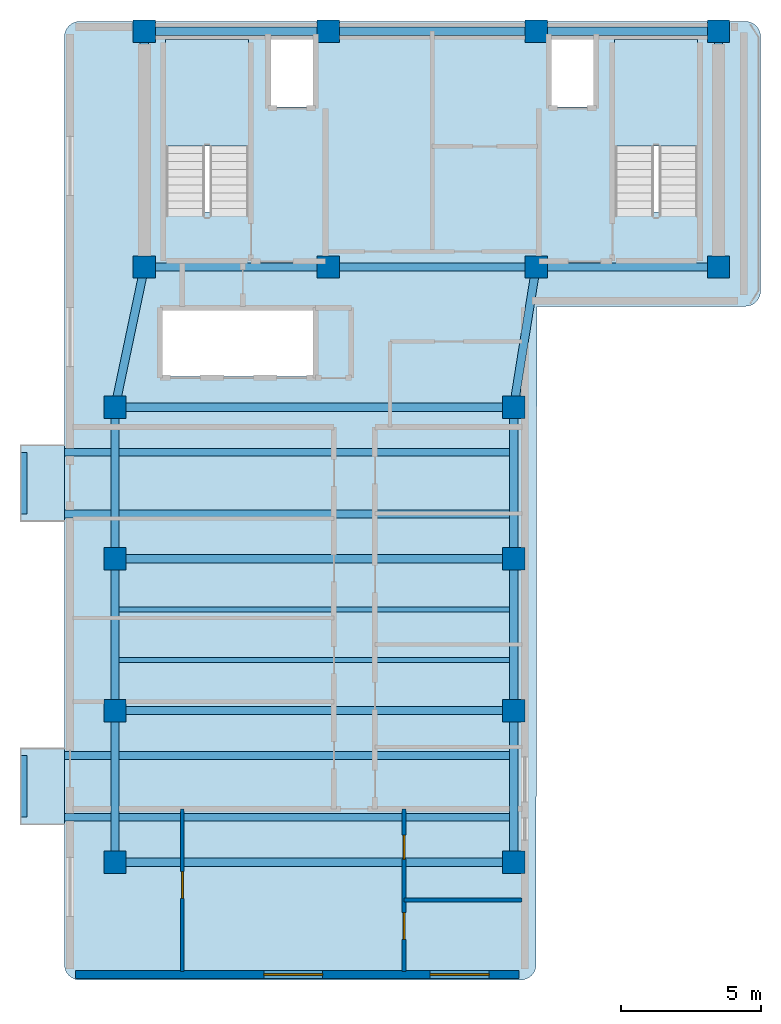
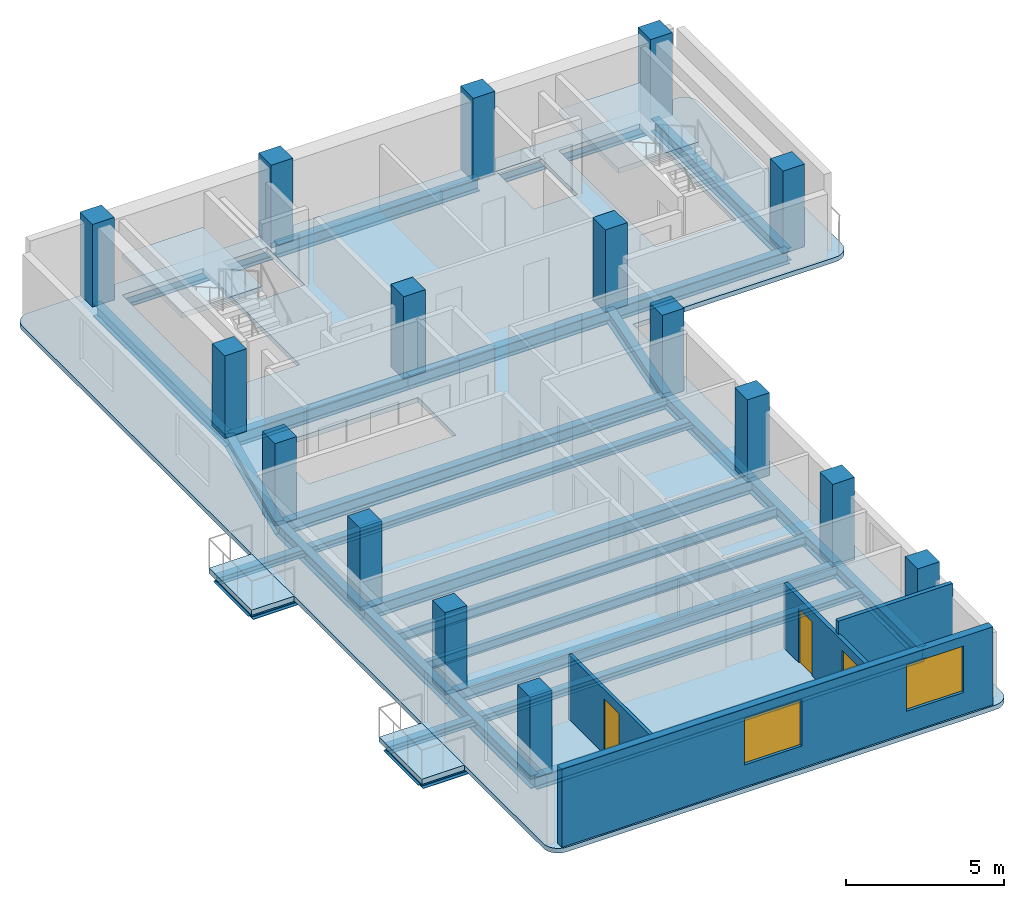
# One storey, part 1 of 5: 28 beams, 16 columns, 5 slabs, 4 walls, 3 doors, 2 windows, 5 openings, 2 elements without a shape of their own.
"""IFC4 building model written with IfcOpenShell, lengths in metres."""

from ifc_helpers import new_model, si_unit, direction, frame, frame_2d, origin, origin_2d, place, context, subcontext, project, spatial, polyline, rectangle, i_section, outline, extrude, material, layer, layer_set, material_profile, profile_set, type_object, element, fill, aggregate, save


model = new_model("IFC4")

# Units and contexts
model_context = context("Model", 3, precision=1e-05, world=origin(), true_north=direction((0.0, 1.0)))
body_context = subcontext(model_context, "Body", "Model", "MODEL_VIEW")
ifc_project = project(units=[si_unit("LENGTHUNIT", "METRE"), si_unit("AREAUNIT", "SQUARE_METRE"), si_unit("VOLUMEUNIT", "CUBIC_METRE"), si_unit("PLANEANGLEUNIT", "RADIAN"), si_unit("MASSUNIT", "GRAM", prefix="KILO")], contexts=[model_context])

# Site, building, storey
site_placement = place(None, origin())
site = spatial("IfcSite", under=ifc_project, at=site_placement, CompositionType="ELEMENT")
building_placement = place(site_placement, origin())
building = spatial("IfcBuilding", under=site, at=building_placement, Name="Kuzgunbayir Cultural Tower", CompositionType="ELEMENT")
storey_placement = place(building_placement, frame((0.0, 0.0, 228.0)))
storey = spatial("IfcBuildingStorey", under=building, at=storey_placement, Name="L67", CompositionType="ELEMENT", Elevation=228.0)

# Columns
ifc_material_1 = material(Name="Concrete C50/60", Category="concrete")
ifc_material_profile_1 = material_profile(ifc_material_1, rectangle(XDim=0.800048828125, YDim=0.800048828125, at=origin_2d()), Name="RC 800x800")
ifc_profile_set_1 = profile_set([ifc_material_profile_1], Name="Concrete C50/60")
column_type_1 = type_object("IfcColumnType", Name="COL-CORE-800", PredefinedType="COLUMN", material=ifc_profile_set_1)
for number, where, z_axis, x_axis, name in (
    (1, (6.449951171875, 33.800048828125, 0.0), (0.0, 0.0, 1.0), (1.0, 0.0, 0.0), "L67 T1 Core Boundary Column CC1-1"),
    (2, (13.0, 33.800048828125, 0.0), (0.0, 0.0, 1.0), (1.0, 0.0, 0.0), "L67 T1 Core Boundary Column CC1-2"),
    (3, (20.39990234375, 33.800048828125, 0.0), (0.0, 0.0, 1.0), (1.0, 0.0, 0.0), "L67 T1 Core Boundary Column CC1-3"),
    (4, (26.89990234375, 33.800048828125, 0.0), (0.0, 0.0, 1.0), (1.0, 0.0, 0.0), "L67 T1 Core Boundary Column CC1-4"),
    (5, (6.449951171875, 42.199951171875, 0.0), (0.0, 0.0, 1.0), (1.0, 0.0, 0.0), "L67 T1 Core Boundary Column CC1-5"),
    (6, (13.0, 42.199951171875, 0.0), (0.0, 0.0, 1.0), (1.0, 0.0, 0.0), "L67 T1 Core Boundary Column CC1-6"),
    (7, (20.39990234375, 42.199951171875, 0.0), (0.0, 0.0, 1.0), (1.0, 0.0, 0.0), "L67 T1 Core Boundary Column CC1-7"),
    (8, (26.89990234375, 42.199951171875, 0.0), (0.0, 0.0, 1.0), (1.0, 0.0, 0.0), "L67 T1 Core Boundary Column CC1-8"),
):
    element("IfcColumn", number, at=place(storey_placement, frame(where, z_axis=z_axis, x_axis=x_axis)), inside=storey, type_object=column_type_1, Name=name, PredefinedType="COLUMN", context=body_context, shape_type="SweptSolid", body=[
        extrude(rectangle(XDim=0.800048828125, YDim=0.800048828125, at=origin_2d()), origin(), (0.0, 0.0, 1.0), 3.199951171875),
    ])
ifc_material_profile_2 = material_profile(ifc_material_1, rectangle(XDim=0.800048828125, YDim=0.800048828125, at=origin_2d()), Name="RC 800x800")
ifc_profile_set_2 = profile_set([ifc_material_profile_2], Name="Concrete C50/60")
column_type_2 = type_object("IfcColumnType", Name="COL-T1-800", PredefinedType="COLUMN", material=ifc_profile_set_2)
for number, where, z_axis, x_axis, name in (
    (9, (5.39990234375, 12.60009765625, 0.0), (0.0, 0.0, 1.0), (1.0, 0.0, 0.0), "L67 Tower 1 Wing A Column T1A-W-1"),
    (10, (19.60009765625, 12.60009765625, 0.0), (0.0, 0.0, 1.0), (1.0, 0.0, 0.0), "L67 Tower 1 Wing A Column T1A-E-1"),
    (11, (5.39990234375, 18.0, 0.0), (0.0, 0.0, 1.0), (1.0, 0.0, 0.0), "L67 Tower 1 Wing A Column T1A-W-2"),
    (12, (19.60009765625, 18.0, 0.0), (0.0, 0.0, 1.0), (1.0, 0.0, 0.0), "L67 Tower 1 Wing A Column T1A-E-2"),
    (13, (5.39990234375, 23.39990234375, 0.0), (0.0, 0.0, 1.0), (1.0, 0.0, 0.0), "L67 Tower 1 Wing A Column T1A-W-3"),
    (14, (19.60009765625, 23.39990234375, 0.0), (0.0, 0.0, 1.0), (1.0, 0.0, 0.0), "L67 Tower 1 Wing A Column T1A-E-3"),
    (15, (5.39990234375, 28.800048828125, 0.0), (0.0, 0.0, 1.0), (1.0, 0.0, 0.0), "L67 Tower 1 Wing A Column T1A-W-4"),
    (16, (19.60009765625, 28.800048828125, 0.0), (0.0, 0.0, 1.0), (1.0, 0.0, 0.0), "L67 Tower 1 Wing A Column T1A-E-4"),
):
    element("IfcColumn", number, at=place(storey_placement, frame(where, z_axis=z_axis, x_axis=x_axis)), inside=storey, type_object=column_type_2, Name=name, PredefinedType="COLUMN", context=body_context, shape_type="SweptSolid", body=[
        extrude(rectangle(XDim=0.800048828125, YDim=0.800048828125, at=origin_2d()), origin(), (0.0, 0.0, 1.0), 3.199951171875),
    ])

# Beams
ifc_material_2 = material(Name="Steel S355J2", Category="steel")
ifc_material_profile_3 = material_profile(ifc_material_2, i_section(OverallWidth=0.280029296875, OverallDepth=0.280029296875, WebThickness=0.010498046875, FlangeThickness=0.01806640625, FilletRadius=0.02392578125, at=origin_2d()), Name="HEB 280")
ifc_profile_set_3 = profile_set([ifc_material_profile_3], Name="Steel S355J2")
beam_type_1 = type_object("IfcBeamType", Name="BM-BAL-HEB280", PredefinedType="BEAM", material=ifc_profile_set_3)
for number, where, z_axis, x_axis, name in (
    (17, (2.159912109375, 14.199951171875, -0.340087890625), (1.0, 0.0, 0.0), (0.0, 1.0, 0.0), "L67 Balcony Outrigger Beam BAL-L67-WA1.1"),
    (18, (2.159912109375, 16.39990234375, -0.340087890625), (1.0, 0.0, 0.0), (0.0, 1.0, 0.0), "L67 Balcony Outrigger Beam BAL-L67-WA1.2"),
    (19, (2.159912109375, 25.0, -0.340087890625), (1.0, 0.0, 0.0), (0.0, 1.0, 0.0), "L67 Balcony Outrigger Beam BAL-L67-WA3.1"),
    (20, (2.159912109375, 27.199951171875, -0.340087890625), (1.0, 0.0, 0.0), (0.0, 1.0, 0.0), "L67 Balcony Outrigger Beam BAL-L67-WA3.2"),
):
    element("IfcBeam", number, at=place(storey_placement, frame(where, z_axis=z_axis, x_axis=x_axis)), inside=storey, type_object=beam_type_1, Name=name, PredefinedType="BEAM", context=body_context, shape_type="SweptSolid", body=[
        extrude(i_section(OverallWidth=0.280029296875, OverallDepth=0.280029296875, WebThickness=0.010498046875, FlangeThickness=0.01806640625, FilletRadius=0.02392578125, at=origin_2d()), origin(), (0.0, 0.0, 1.0), 17.440185546875),
    ])
ifc_material_profile_4 = material_profile(ifc_material_2, i_section(OverallWidth=0.199951171875, OverallDepth=0.199951171875, WebThickness=0.009033203125, FlangeThickness=0.014892578125, FilletRadius=0.01806640625, at=origin_2d()), Name="HEB 200")
ifc_profile_set_4 = profile_set([ifc_material_profile_4], Name="Steel S355J2")
beam_type_2 = type_object("IfcBeamType", Name="BM-CAN-HEB200", PredefinedType="BEAM", material=ifc_profile_set_4)
for number, where, z_axis, x_axis, name in (
    (21, (2.159912109375, 14.199951171875, -0.300048828125), (0.0, 1.0, 0.0), (-1.0, 0.0, 0.0), "L67 Balcony Edge Header BAL-L67-WA1"),
    (22, (2.159912109375, 25.0, -0.300048828125), (0.0, 1.0, 0.0), (-1.0, 0.0, 0.0), "L67 Balcony Edge Header BAL-L67-WA3"),
):
    element("IfcBeam", number, at=place(storey_placement, frame(where, z_axis=z_axis, x_axis=x_axis)), inside=storey, type_object=beam_type_2, Name=name, PredefinedType="BEAM", context=body_context, shape_type="SweptSolid", body=[
        extrude(i_section(OverallWidth=0.199951171875, OverallDepth=0.199951171875, WebThickness=0.009033203125, FlangeThickness=0.014892578125, FilletRadius=0.01806640625, at=origin_2d()), origin(), (0.0, 0.0, 1.0), 2.199951171875),
    ])
ifc_material_profile_5 = material_profile(ifc_material_2, i_section(OverallWidth=0.300048828125, OverallDepth=0.5, WebThickness=0.014404296875, FlangeThickness=0.028076171875, FilletRadius=0.027099609375, at=origin_2d()), Name="HEB 500")
ifc_profile_set_5 = profile_set([ifc_material_profile_5], Name="Steel S355J2")
beam_type_3 = type_object("IfcBeamType", Name="BM-EXT-HEB500", PredefinedType="BEAM", material=ifc_profile_set_5)
for number, where, z_axis, x_axis, name in (
    (23, (5.39990234375, 12.60009765625, -0.429931640625), (0.0, 1.0, 0.0), (-1.0, 0.0, 0.0), "L67 Wing A West Girder 1"),
    (24, (19.60009765625, 12.60009765625, -0.429931640625), (0.0, 1.0, 0.0), (-1.0, 0.0, 0.0), "L67 Wing A East Girder 1"),
    (25, (5.39990234375, 18.0, -0.429931640625), (0.0, 1.0, 0.0), (-1.0, 0.0, 0.0), "L67 Wing A West Girder 2"),
    (26, (19.60009765625, 18.0, -0.429931640625), (0.0, 1.0, 0.0), (-1.0, 0.0, 0.0), "L67 Wing A East Girder 2"),
):
    element("IfcBeam", number, at=place(storey_placement, frame(where, z_axis=z_axis, x_axis=x_axis)), inside=storey, type_object=beam_type_3, Name=name, PredefinedType="BEAM", context=body_context, shape_type="SweptSolid", body=[
        extrude(i_section(OverallWidth=0.300048828125, OverallDepth=0.5, WebThickness=0.014404296875, FlangeThickness=0.028076171875, FilletRadius=0.027099609375, at=origin_2d()), origin(), (0.0, 0.0, 1.0), 5.39990234375),
    ])
for number, where, z_axis, x_axis, name in (
    (27, (5.39990234375, 23.39990234375, -0.429931640625), (0.0, 1.0, 0.0), (-1.0, 0.0, 0.0), "L67 Wing A West Girder 3"),
    (28, (19.60009765625, 23.39990234375, -0.429931640625), (0.0, 1.0, 0.0), (-1.0, 0.0, 0.0), "L67 Wing A East Girder 3"),
):
    element("IfcBeam", number, at=place(storey_placement, frame(where, z_axis=z_axis, x_axis=x_axis)), inside=storey, type_object=beam_type_3, Name=name, PredefinedType="BEAM", context=body_context, shape_type="SweptSolid", body=[
        extrude(i_section(OverallWidth=0.300048828125, OverallDepth=0.5, WebThickness=0.014404296875, FlangeThickness=0.028076171875, FilletRadius=0.027099609375, at=origin_2d()), origin(), (0.0, 0.0, 1.0), 5.400146484375),
    ])
ifc_material_profile_6 = material_profile(ifc_material_2, i_section(OverallWidth=0.300048828125, OverallDepth=0.5, WebThickness=0.014404296875, FlangeThickness=0.028076171875, FilletRadius=0.027099609375, at=origin_2d()), Name="HEB 500")
ifc_profile_set_6 = profile_set([ifc_material_profile_6], Name="Steel S355J2")
beam_type_4 = type_object("IfcBeamType", Name="BM-GIR-HEB500", PredefinedType="BEAM", material=ifc_profile_set_6)
beam_1_placement = place(storey_placement, frame((6.449951171875, 33.800048828125, -0.429931640625), z_axis=(1.0, 0.0, 0.0), x_axis=(0.0, 1.0, 0.0)))
element("IfcBeam", 29, at=beam_1_placement, inside=storey, type_object=beam_type_4, Name="L67 Core South Girder 1", PredefinedType="BEAM", context=body_context, shape_type="SweptSolid", body=[
    extrude(i_section(OverallWidth=0.300048828125, OverallDepth=0.5, WebThickness=0.014404296875, FlangeThickness=0.028076171875, FilletRadius=0.027099609375, at=origin_2d()), origin(), (0.0, 0.0, 1.0), 6.550048828125),
])
beam_2_placement = place(storey_placement, frame((13.0, 33.800048828125, -0.429931640625), z_axis=(1.0, 0.0, 0.0), x_axis=(0.0, 1.0, 0.0)))
element("IfcBeam", 30, at=beam_2_placement, inside=storey, type_object=beam_type_4, Name="L67 Core South Girder 2", PredefinedType="BEAM", context=body_context, shape_type="SweptSolid", body=[
    extrude(i_section(OverallWidth=0.300048828125, OverallDepth=0.5, WebThickness=0.014404296875, FlangeThickness=0.028076171875, FilletRadius=0.027099609375, at=origin_2d()), origin(), (0.0, 0.0, 1.0), 7.39990234375),
])
beam_3_placement = place(storey_placement, frame((20.39990234375, 33.800048828125, -0.429931640625), z_axis=(1.0, 0.0, 0.0), x_axis=(0.0, 1.0, 0.0)))
element("IfcBeam", 31, at=beam_3_placement, inside=storey, type_object=beam_type_4, Name="L67 Core South Girder 3", PredefinedType="BEAM", context=body_context, shape_type="SweptSolid", body=[
    extrude(i_section(OverallWidth=0.300048828125, OverallDepth=0.5, WebThickness=0.014404296875, FlangeThickness=0.028076171875, FilletRadius=0.027099609375, at=origin_2d()), origin(), (0.0, 0.0, 1.0), 6.5),
])
beam_4_placement = place(storey_placement, frame((6.449951171875, 42.199951171875, -0.429931640625), z_axis=(1.0, 0.0, 0.0), x_axis=(0.0, 1.0, 0.0)))
element("IfcBeam", 32, at=beam_4_placement, inside=storey, type_object=beam_type_4, Name="L67 Core North Girder 1", PredefinedType="BEAM", context=body_context, shape_type="SweptSolid", body=[
    extrude(i_section(OverallWidth=0.300048828125, OverallDepth=0.5, WebThickness=0.014404296875, FlangeThickness=0.028076171875, FilletRadius=0.027099609375, at=origin_2d()), origin(), (0.0, 0.0, 1.0), 6.550048828125),
])
beam_5_placement = place(storey_placement, frame((13.0, 42.199951171875, -0.429931640625), z_axis=(1.0, 0.0, 0.0), x_axis=(0.0, 1.0, 0.0)))
element("IfcBeam", 33, at=beam_5_placement, inside=storey, type_object=beam_type_4, Name="L67 Core North Girder 2", PredefinedType="BEAM", context=body_context, shape_type="SweptSolid", body=[
    extrude(i_section(OverallWidth=0.300048828125, OverallDepth=0.5, WebThickness=0.014404296875, FlangeThickness=0.028076171875, FilletRadius=0.027099609375, at=origin_2d()), origin(), (0.0, 0.0, 1.0), 7.39990234375),
])
beam_6_placement = place(storey_placement, frame((20.39990234375, 42.199951171875, -0.429931640625), z_axis=(1.0, 0.0, 0.0), x_axis=(0.0, 1.0, 0.0)))
element("IfcBeam", 34, at=beam_6_placement, inside=storey, type_object=beam_type_4, Name="L67 Core North Girder 3", PredefinedType="BEAM", context=body_context, shape_type="SweptSolid", body=[
    extrude(i_section(OverallWidth=0.300048828125, OverallDepth=0.5, WebThickness=0.014404296875, FlangeThickness=0.028076171875, FilletRadius=0.027099609375, at=origin_2d()), origin(), (0.0, 0.0, 1.0), 6.5),
])
for number, where, z_axis, x_axis, name in (
    (35, (6.449951171875, 33.800048828125, -0.429931640625), (0.0, 1.0, 0.0), (-1.0, 0.0, 0.0), "L67 Core West Edge Girder"),
    (36, (26.89990234375, 33.800048828125, -0.429931640625), (0.0, 1.0, 0.0), (-1.0, 0.0, 0.0), "L67 Core East Edge Girder"),
):
    element("IfcBeam", number, at=place(storey_placement, frame(where, z_axis=z_axis, x_axis=x_axis)), inside=storey, type_object=beam_type_4, Name=name, PredefinedType="BEAM", context=body_context, shape_type="SweptSolid", body=[
        extrude(i_section(OverallWidth=0.300048828125, OverallDepth=0.5, WebThickness=0.014404296875, FlangeThickness=0.028076171875, FilletRadius=0.027099609375, at=origin_2d()), origin(), (0.0, 0.0, 1.0), 8.39990234375),
    ])
for number, where, z_axis, x_axis, name in (
    (37, (5.39990234375, 12.60009765625, -0.429931640625), (1.0, 0.0, 0.0), (0.0, 1.0, 0.0), "L67 Wing A Transverse Girder 1"),
    (38, (5.39990234375, 18.0, -0.429931640625), (1.0, 0.0, 0.0), (0.0, 1.0, 0.0), "L67 Wing A Transverse Girder 2"),
    (39, (5.39990234375, 23.39990234375, -0.429931640625), (1.0, 0.0, 0.0), (0.0, 1.0, 0.0), "L67 Wing A Transverse Girder 3"),
    (40, (5.39990234375, 28.800048828125, -0.429931640625), (1.0, 0.0, 0.0), (0.0, 1.0, 0.0), "L67 Wing A Transverse Girder 4"),
):
    element("IfcBeam", number, at=place(storey_placement, frame(where, z_axis=z_axis, x_axis=x_axis)), inside=storey, type_object=beam_type_4, Name=name, PredefinedType="BEAM", context=body_context, shape_type="SweptSolid", body=[
        extrude(i_section(OverallWidth=0.300048828125, OverallDepth=0.5, WebThickness=0.014404296875, FlangeThickness=0.028076171875, FilletRadius=0.027099609375, at=origin_2d()), origin(), (0.0, 0.0, 1.0), 14.2001953125),
    ])
beam_7_placement = place(storey_placement, frame((5.39990234375, 28.800048828125, -0.429931640625), z_axis=(0.205526387753, 0.978651574329, 0.0), x_axis=(-0.978651574329, 0.205526387753, 0.0)))
element("IfcBeam", 41, at=beam_7_placement, inside=storey, type_object=beam_type_4, Name="L67 Wing A West Core Floor Girder", PredefinedType="BEAM", context=body_context, shape_type="SweptSolid", body=[
    extrude(i_section(OverallWidth=0.300048828125, OverallDepth=0.5, WebThickness=0.014404296875, FlangeThickness=0.028076171875, FilletRadius=0.027099609375, at=origin_2d()), origin(), (0.0, 0.0, 1.0), 5.109130859375),
])
beam_8_placement = place(storey_placement, frame((19.60009765625, 28.800048828125, -0.429931640625), z_axis=(0.157952891656, 0.987446648694, 0.0), x_axis=(-0.987446648694, 0.157952891656, 0.0)))
element("IfcBeam", 42, at=beam_8_placement, inside=storey, type_object=beam_type_4, Name="L67 Wing A East Core Floor Girder", PredefinedType="BEAM", context=body_context, shape_type="SweptSolid", body=[
    extrude(i_section(OverallWidth=0.300048828125, OverallDepth=0.5, WebThickness=0.014404296875, FlangeThickness=0.028076171875, FilletRadius=0.027099609375, at=origin_2d()), origin(), (0.0, 0.0, 1.0), 5.0634765625),
])
ifc_material_profile_7 = material_profile(ifc_material_2, i_section(OverallWidth=0.169921875, OverallDepth=0.360107421875, WebThickness=0.008056640625, FlangeThickness=0.0126953125, FilletRadius=0.01806640625, at=origin_2d()), Name="IPE 360")
ifc_profile_set_7 = profile_set([ifc_material_profile_7], Name="Steel S355J2")
beam_type_5 = type_object("IfcBeamType", Name="BM-JST-IPE360", PredefinedType="JOIST", material=ifc_profile_set_7)
for number, where, z_axis, x_axis, name in (
    (43, (5.550048828125, 19.800048828125, -0.360107421875), (1.0, 0.0, 0.0), (0.0, 1.0, 0.0), "L67 Wing A Secondary Joist 3"),
    (44, (5.550048828125, 21.60009765625, -0.360107421875), (1.0, 0.0, 0.0), (0.0, 1.0, 0.0), "L67 Wing A Secondary Joist 4"),
):
    element("IfcBeam", number, at=place(storey_placement, frame(where, z_axis=z_axis, x_axis=x_axis)), inside=storey, type_object=beam_type_5, Name=name, PredefinedType="JOIST", context=body_context, shape_type="SweptSolid", body=[
        extrude(i_section(OverallWidth=0.169921875, OverallDepth=0.360107421875, WebThickness=0.008056640625, FlangeThickness=0.0126953125, FilletRadius=0.01806640625, at=origin_2d()), origin(), (0.0, 0.0, 1.0), 13.89990234375),
    ])

# Slabs
ifc_material_3 = material(Name="Concrete C40/50", Category="concrete")
ifc_layer_1 = layer(ifc_material_3, 0.199951171875)
ifc_layer_set_1 = layer_set([ifc_layer_1], Name="Concrete C40/50")
slab_type_1 = type_object("IfcSlabType", Name="SLB-BAL-STONE", PredefinedType="FLOOR", material=ifc_layer_set_1)
slab_1_placement = place(storey_placement, frame((0.0, 0.0, -0.199951171875)))
element("IfcSlab", 45, at=slab_1_placement, inside=storey, type_object=slab_type_1, Name="L67 Projecting Limestone Balcony BAL-L67-WA1", PredefinedType="FLOOR", context=body_context, shape_type="SweptSolid", body=[
    extrude(outline(polyline([(2.0400390625, 13.949951171875), (3.60009765625, 13.949951171875), (3.60009765625, 16.64990234375), (2.0400390625, 16.64990234375), (2.0400390625, 13.949951171875)])), origin(), (0.0, 0.0, 1.0), 0.199951171875),
])
slab_2_placement = place(storey_placement, frame((0.0, 0.0, -0.199951171875)))
element("IfcSlab", 46, at=slab_2_placement, inside=storey, type_object=slab_type_1, Name="L67 Projecting Limestone Balcony BAL-L67-WA3", PredefinedType="FLOOR", context=body_context, shape_type="SweptSolid", body=[
    extrude(outline(polyline([(2.0400390625, 24.75), (3.60009765625, 24.75), (3.60009765625, 27.449951171875), (2.0400390625, 27.449951171875), (2.0400390625, 24.75)])), origin(), (0.0, 0.0, 1.0), 0.199951171875),
])

# Stair, slab
stair_type = type_object("IfcStairType", Name="STR-EXIT-CORE", PredefinedType="HALF_TURN_STAIR", material=ifc_material_3)
stair_1_placement = place(storey_placement, origin())
stair_1 = element("IfcStair", 47, at=stair_1_placement, inside=storey, type_object=stair_type, Name="L67 ST-1", PredefinedType="HALF_TURN_STAIR")
ifc_layer_2 = layer(ifc_material_3, 0.179931640625)
ifc_layer_set_2 = layer_set([ifc_layer_2], Name="Concrete C40/50")
slab_type_2 = type_object("IfcSlabType", Name="SLB-LANDING-180", PredefinedType="LANDING", material=ifc_layer_set_2)
slab_3_placement = place(storey_placement, frame((0.0, 0.0, 1.39990234375)))
slab_3 = element("IfcSlab", 48, at=slab_3_placement, type_object=slab_type_2, Name="ST-1 landing 1", PredefinedType="LANDING", context=body_context, shape_type="SweptSolid", body=[
    extrude(outline(polyline([(10.159912109375, 38.1201171875), (10.159912109375, 41.89990234375), (7.199951171875, 41.89990234375), (7.199951171875, 38.1201171875), (10.159912109375, 38.1201171875)])), origin(), (0.0, 0.0, 1.0), 0.2001953125),
])
aggregate(stair_1, [slab_3])

stair_2_placement = place(storey_placement, origin())
stair_2 = element("IfcStair", 49, at=stair_2_placement, inside=storey, type_object=stair_type, Name="L67 ST-2", PredefinedType="HALF_TURN_STAIR")
slab_4_placement = place(storey_placement, frame((0.0, 0.0, 1.39990234375)))
slab_4 = element("IfcSlab", 50, at=slab_4_placement, type_object=slab_type_2, Name="ST-2 landing 1", PredefinedType="LANDING", context=body_context, shape_type="SweptSolid", body=[
    extrude(outline(polyline([(26.159912109375, 38.1201171875), (26.159912109375, 41.89990234375), (23.199951171875, 41.89990234375), (23.199951171875, 38.1201171875), (26.159912109375, 38.1201171875)])), origin(), (0.0, 0.0, 1.0), 0.2001953125),
])
aggregate(stair_2, [slab_4])

# Slab
ifc_layer_3 = layer(ifc_material_3, 0.179931640625)
ifc_layer_set_3 = layer_set([ifc_layer_3], Name="Concrete C40/50")
slab_type_3 = type_object("IfcSlabType", Name="SLB-TYP-180", PredefinedType="FLOOR", material=ifc_layer_set_3)
slab_5_placement = place(storey_placement, frame((0.0, 0.0, -0.179931640625)))
element("IfcSlab", 51, at=slab_5_placement, inside=storey, type_object=slab_type_3, Name="L67 Tower 1 Floor Slab T1-MAIN", PredefinedType="FLOOR", context=body_context, shape_type="SweptSolid", body=[
    extrude(outline(polyline([(20.39990234375, 8.949951171875), (20.389892578125, 8.840087890625), (20.360107421875, 8.739990234375), (20.31005859375, 8.639892578125), (20.239990234375, 8.56005859375), (20.159912109375, 8.489990234375), (20.06005859375, 8.43994140625), (19.9599609375, 8.409912109375), (19.85009765625, 8.39990234375), (4.14990234375, 8.39990234375), (4.0400390625, 8.409912109375), (3.93994140625, 8.43994140625), (3.840087890625, 8.489990234375), (3.760009765625, 8.56005859375), (3.68994140625, 8.639892578125), (3.639892578125, 8.739990234375), (3.610107421875, 8.840087890625), (3.60009765625, 8.949951171875), (3.60009765625, 42.0), (3.610107421875, 42.110107421875), (3.639892578125, 42.2099609375), (3.68994140625, 42.31005859375), (3.760009765625, 42.389892578125), (3.840087890625, 42.4599609375), (3.93994140625, 42.510009765625), (4.0400390625, 42.5400390625), (4.14990234375, 42.550048828125), (27.85009765625, 42.550048828125), (27.9599609375, 42.5400390625), (28.06005859375, 42.510009765625), (28.159912109375, 42.4599609375), (28.239990234375, 42.389892578125), (28.31005859375, 42.31005859375), (28.360107421875, 42.2099609375), (28.389892578125, 42.110107421875), (28.39990234375, 42.0), (28.39990234375, 32.949951171875), (28.389892578125, 32.840087890625), (28.360107421875, 32.739990234375), (28.31005859375, 32.639892578125), (28.239990234375, 32.56005859375), (28.159912109375, 32.489990234375), (28.06005859375, 32.43994140625), (27.9599609375, 32.409912109375), (27.85009765625, 32.39990234375), (20.429931640625, 32.39990234375), (20.39990234375, 8.949951171875)]), holes=[polyline([(7.199951171875, 35.760009765625), (7.199951171875, 41.89990234375), (10.159912109375, 41.89990234375), (10.159912109375, 35.760009765625), (7.199951171875, 35.760009765625)]), polyline([(23.199951171875, 35.760009765625), (23.199951171875, 41.89990234375), (26.159912109375, 41.89990234375), (26.159912109375, 35.760009765625), (23.199951171875, 35.760009765625)]), polyline([(7.10009765625, 29.89990234375), (7.10009765625, 32.300048828125), (12.5, 32.300048828125), (12.5, 29.89990234375), (7.10009765625, 29.89990234375)]), polyline([(10.89990234375, 39.5), (10.89990234375, 41.89990234375), (12.5, 41.89990234375), (12.5, 39.5), (10.89990234375, 39.5)]), polyline([(20.89990234375, 39.5), (20.89990234375, 41.89990234375), (22.5, 41.89990234375), (22.5, 39.5), (20.89990234375, 39.5)])]), origin(), (0.0, 0.0, 1.0), 0.179931640625),
])

# Wall, openings, windows
ifc_material_4 = material(Name="Anatolian Cream Limestone", Category="masonry")
ifc_layer_4 = layer(ifc_material_4, 0.280029296875)
ifc_layer_set_4 = layer_set([ifc_layer_4], Name="Anatolian Cream Limestone")
wall_type_1 = type_object("IfcWallType", Name="WAL-EXT-STONE-280", PredefinedType="STANDARD", material=ifc_layer_set_4)
wall_1_placement = place(storey_placement, frame((4.0, 8.60009765625, 0.0), z_axis=(0.0, 0.0, 1.0), x_axis=(1.0, 0.0, 0.0)))
wall_1 = element("IfcWall", 52, at=wall_1_placement, inside=storey, type_object=wall_type_1, Name="L67 Wing A South Limestone Wall", PredefinedType="STANDARD", context=body_context, shape_type="SweptSolid", body=[
    extrude(rectangle(XDim=15.800048828125, YDim=0.280029296875, at=frame_2d((7.89990234375, 0.0))), origin(), (0.0, 0.0, 1.0), 3.02001953125),
])
opening_1_placement = place(wall_1_placement, frame((6.699951171875, 0.0, 0.85009765625)))
opening_1 = element("IfcOpeningElement", 53, at=opening_1_placement, cuts=wall_1, Name="Opening WR-21", PredefinedType="OPENING", context=body_context, shape_type="SweptSolid", body=[
    extrude(rectangle(XDim=2.10009765625, YDim=1.800048828125, at=frame_2d((1.050048828125, 0.89990234375))), frame((0.0, 0.14990234375, 0.0), z_axis=(0.0, -1.0, 0.0), x_axis=(1.0, 0.0, 0.0)), (0.0, 0.0, 1.0), 0.300048828125),
])
opening_2_placement = place(wall_1_placement, frame((12.6298828125, 0.0, 0.85009765625)))
opening_2 = element("IfcOpeningElement", 54, at=opening_2_placement, cuts=wall_1, Name="Opening WR-21", PredefinedType="OPENING", context=body_context, shape_type="SweptSolid", body=[
    extrude(rectangle(XDim=2.10009765625, YDim=1.800048828125, at=frame_2d((1.050048828125, 0.89990234375))), frame((0.0, 0.14990234375, 0.0), z_axis=(0.0, -1.0, 0.0), x_axis=(1.0, 0.0, 0.0)), (0.0, 0.0, 1.0), 0.300048828125),
])
ifc_material_5 = material(Name="Solar-Control Triple Glazing", Category="glass")
window_type = type_object("IfcWindowType", Name="WIN-RESID-21", PartitioningType="SINGLE_PANEL", PredefinedType="WINDOW", material=ifc_material_5)
window_1_placement = place(opening_1_placement, origin())
window_1 = element("IfcWindow", 55, at=window_1_placement, inside=storey, type_object=window_type, Name="L67 WAS Facade Window 2", OverallHeight=1.800048828125, OverallWidth=2.10009765625, PartitioningType="SINGLE_PANEL", PredefinedType="WINDOW", context=body_context, shape_type="SweptSolid", body=[
    extrude(rectangle(XDim=2.10009765625, YDim=1.800048828125, at=frame_2d((1.050048828125, 0.89990234375))), frame((0.0, 0.030029296875, 0.0), z_axis=(0.0, -1.0, 0.0), x_axis=(1.0, 0.0, 0.0)), (0.0, 0.0, 1.0), 0.06005859375),
])
fill(opening_1, window_1)
window_2_placement = place(opening_2_placement, origin())
window_2 = element("IfcWindow", 56, at=window_2_placement, inside=storey, type_object=window_type, Name="L67 WAS Facade Window 3", OverallHeight=1.800048828125, OverallWidth=2.10009765625, PartitioningType="SINGLE_PANEL", PredefinedType="WINDOW", context=body_context, shape_type="SweptSolid", body=[
    extrude(rectangle(XDim=2.10009765625, YDim=1.800048828125, at=frame_2d((1.050048828125, 0.89990234375))), frame((0.0, 0.030029296875, 0.0), z_axis=(0.0, -1.0, 0.0), x_axis=(1.0, 0.0, 0.0)), (0.0, 0.0, 1.0), 0.06005859375),
])
fill(opening_2, window_2)

# Wall, opening, door
ifc_material_6 = material(Name="Framed Gypsum Partition", Category="gypsum")
ifc_layer_5 = layer(ifc_material_6, 0.1201171875)
ifc_layer_set_5 = layer_set([ifc_layer_5], Name="Framed Gypsum Partition")
wall_type_2 = type_object("IfcWallType", Name="WAL-PART-INT-120", PredefinedType="PARTITIONING", material=ifc_layer_set_5)
wall_2_placement = place(storey_placement, frame((7.800048828125, 8.699951171875, 0.0), z_axis=(0.0, 0.0, 1.0), x_axis=(0.0, 1.0, 0.0)))
wall_2 = element("IfcWall", 57, at=wall_2_placement, inside=storey, type_object=wall_type_2, Name="L67 Flat A West Bedroom Wall", PredefinedType="PARTITIONING", context=body_context, shape_type="SweptSolid", body=[
    extrude(rectangle(XDim=5.800048828125, YDim=0.1201171875, at=frame_2d((2.89990234375, 0.0))), origin(), (0.0, 0.0, 1.0), 2.510009765625),
])
opening_3_placement = place(wall_2_placement, frame((2.610107421875, 0.0, 0.0)))
opening_3 = element("IfcOpeningElement", 58, at=opening_3_placement, cuts=wall_2, Name="Opening DI-90", PredefinedType="OPENING", context=body_context, shape_type="SweptSolid", body=[
    extrude(rectangle(XDim=0.949951171875, YDim=2.14990234375, at=frame_2d((0.47509765625, 1.074951171875))), frame((0.0, 0.070068359375, 0.0), z_axis=(0.0, -1.0, 0.0), x_axis=(1.0, 0.0, 0.0)), (0.0, 0.0, 1.0), 0.14013671875),
])
ifc_material_7 = material(Name="Veneered Oak Single Leaf", Category="wood")
door_type_1 = type_object("IfcDoorType", Name="DR-INT-90", OperationType="NOTDEFINED", PredefinedType="DOOR", material=ifc_material_7)
door_1_placement = place(opening_3_placement, origin())
door_1 = element("IfcDoor", 59, at=door_1_placement, inside=storey, type_object=door_type_1, Name="L67 Apartment A Bedroom Door", OperationType="SINGLE_SWING_LEFT", OverallHeight=2.14990234375, OverallWidth=0.949951171875, PredefinedType="DOOR", context=body_context, shape_type="SweptSolid", body=[
    extrude(rectangle(XDim=0.949951171875, YDim=2.14990234375, at=frame_2d((0.47509765625, 1.074951171875))), frame((0.0, 0.02490234375, 0.0), z_axis=(0.0, -1.0, 0.0), x_axis=(1.0, 0.0, 0.0)), (0.0, 0.0, 1.0), 0.050048828125),
])
fill(opening_3, door_1)

# Wall, openings, doors
ifc_material_8 = material(Name="Moisture-Resistant Tile Partition", Category="gypsum")
ifc_layer_6 = layer(ifc_material_8, 0.14990234375)
ifc_layer_set_6 = layer_set([ifc_layer_6], Name="Moisture-Resistant Tile Partition")
wall_type_3 = type_object("IfcWallType", Name="WAL-PART-WET-150", PredefinedType="PARTITIONING", material=ifc_layer_set_6)
wall_3_placement = place(storey_placement, frame((15.699951171875, 8.699951171875, 0.0), z_axis=(0.0, 0.0, 1.0), x_axis=(0.0, 1.0, 0.0)))
wall_3 = element("IfcWall", 60, at=wall_3_placement, inside=storey, type_object=wall_type_3, Name="L67 Flat A East Service Wall", PredefinedType="PARTITIONING", context=body_context, shape_type="SweptSolid", body=[
    extrude(rectangle(XDim=5.800048828125, YDim=0.14990234375, at=frame_2d((2.89990234375, 0.0))), origin(), (0.0, 0.0, 1.0), 2.510009765625),
])
opening_4_placement = place(wall_3_placement, frame((1.14990234375, 0.0, 0.0)))
opening_4 = element("IfcOpeningElement", 61, at=opening_4_placement, cuts=wall_3, Name="Opening DI-90", PredefinedType="OPENING", context=body_context, shape_type="SweptSolid", body=[
    extrude(rectangle(XDim=0.949951171875, YDim=2.14990234375, at=frame_2d((0.47509765625, 1.074951171875))), frame((0.0, 0.0849609375, 0.0), z_axis=(0.0, -1.0, 0.0), x_axis=(1.0, 0.0, 0.0)), (0.0, 0.0, 1.0), 0.169921875),
])
opening_5_placement = place(wall_3_placement, frame((4.010009765625, 0.0, 0.0)))
opening_5 = element("IfcOpeningElement", 62, at=opening_5_placement, cuts=wall_3, Name="Opening DW-85", PredefinedType="OPENING", context=body_context, shape_type="SweptSolid", body=[
    extrude(rectangle(XDim=0.85009765625, YDim=2.10009765625, at=frame_2d((0.425048828125, 1.050048828125))), frame((0.0, 0.0849609375, 0.0), z_axis=(0.0, -1.0, 0.0), x_axis=(1.0, 0.0, 0.0)), (0.0, 0.0, 1.0), 0.169921875),
])
door_2_placement = place(opening_4_placement, origin())
door_2 = element("IfcDoor", 63, at=door_2_placement, inside=storey, type_object=door_type_1, Name="L67 Apartment A Kitchen Door", OperationType="SINGLE_SWING_RIGHT", OverallHeight=2.14990234375, OverallWidth=0.949951171875, PredefinedType="DOOR", context=body_context, shape_type="SweptSolid", body=[
    extrude(rectangle(XDim=0.949951171875, YDim=2.14990234375, at=frame_2d((0.47509765625, 1.074951171875))), frame((0.0, 0.02490234375, 0.0), z_axis=(0.0, -1.0, 0.0), x_axis=(1.0, 0.0, 0.0)), (0.0, 0.0, 1.0), 0.050048828125),
])
fill(opening_4, door_2)
ifc_material_9 = material(Name="Laminate Moisture-Resistant Leaf", Category="wood")
door_type_2 = type_object("IfcDoorType", Name="DR-WET-85", OperationType="NOTDEFINED", PredefinedType="DOOR", material=ifc_material_9)
door_3_placement = place(opening_5_placement, origin())
door_3 = element("IfcDoor", 64, at=door_3_placement, inside=storey, type_object=door_type_2, Name="L67 Apartment A Bathroom Door", OperationType="SINGLE_SWING_LEFT", OverallHeight=2.10009765625, OverallWidth=0.85009765625, PredefinedType="DOOR", context=body_context, shape_type="SweptSolid", body=[
    extrude(rectangle(XDim=0.85009765625, YDim=2.10009765625, at=frame_2d((0.425048828125, 1.050048828125))), frame((0.0, 0.02490234375, 0.0), z_axis=(0.0, -1.0, 0.0), x_axis=(1.0, 0.0, 0.0)), (0.0, 0.0, 1.0), 0.050048828125),
])
fill(opening_5, door_3)

# Wall
wall_4_placement = place(storey_placement, frame((15.699951171875, 11.25, 0.0), z_axis=(0.0, 0.0, 1.0), x_axis=(1.0, 0.0, 0.0)))
element("IfcWall", 65, at=wall_4_placement, inside=storey, type_object=wall_type_3, Name="L67 Flat A Bath Kitchen Divider", PredefinedType="PARTITIONING", context=body_context, shape_type="SweptSolid", body=[
    extrude(rectangle(XDim=4.199951171875, YDim=0.14990234375, at=frame_2d((2.10009765625, 0.0))), origin(), (0.0, 0.0, 1.0), 3.02001953125),
])

save(model, "model.ifc")
